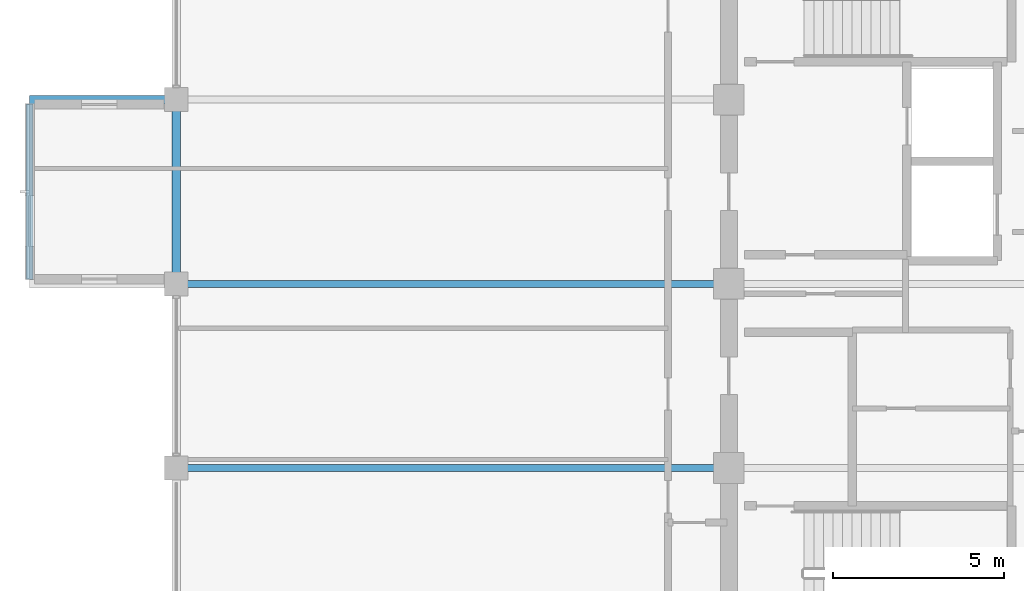
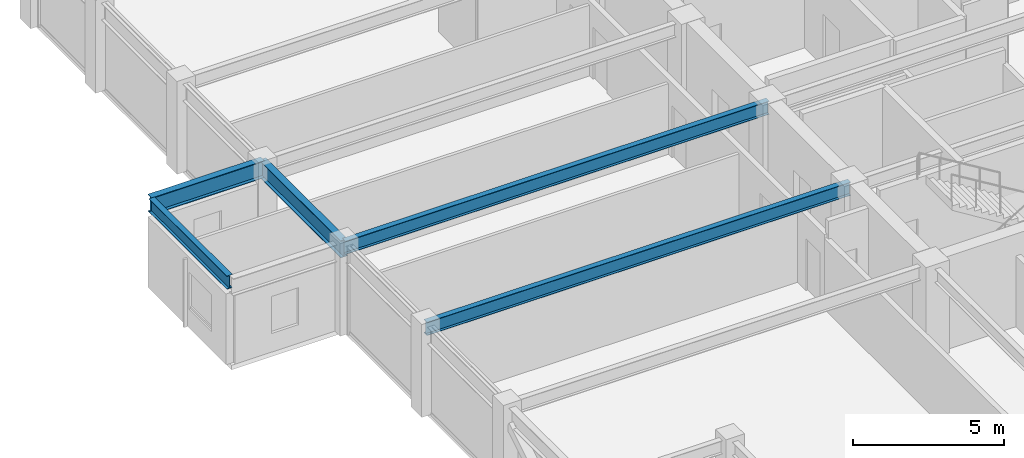
# One storey, part 6 of 31: 5 beams.
"""IFC4 building model written with IfcOpenShell, lengths in metres."""

from ifc_helpers import new_model, si_unit, direction, frame, origin, origin_2d, place, context, subcontext, project, spatial, i_section, extrude, material, material_profile, profile_set, type_object, element, save


model = new_model("IFC4")

# Units and contexts
model_context = context("Model", 3, precision=1e-05, world=origin(), true_north=direction((0.0, 1.0)))
body_context = subcontext(model_context, "Body", "Model", "MODEL_VIEW")
ifc_project = project(units=[si_unit("LENGTHUNIT", "METRE"), si_unit("AREAUNIT", "SQUARE_METRE"), si_unit("VOLUMEUNIT", "CUBIC_METRE"), si_unit("PLANEANGLEUNIT", "RADIAN"), si_unit("MASSUNIT", "GRAM", prefix="KILO")], contexts=[model_context])

# Site, building, storey
site_placement = place(None, origin())
site = spatial("IfcSite", under=ifc_project, at=site_placement, CompositionType="ELEMENT")
building_placement = place(site_placement, origin())
building = spatial("IfcBuilding", under=site, at=building_placement, Name="Surkhivell Harbour Commons", CompositionType="ELEMENT")
storey_placement = place(building_placement, frame((0.0, 0.0, 318.75)))
storey = spatial("IfcBuildingStorey", under=building, at=storey_placement, Name="L83", CompositionType="ELEMENT", Elevation=318.75)

# Beams
ifc_material_1 = material(Name="Steel S460", Category="steel")
ifc_material_profile_1 = material_profile(ifc_material_1, i_section(OverallWidth=0.256103515625, OverallDepth=0.693115234375, WebThickness=0.014404296875, FlangeThickness=0.023681640625, at=origin_2d()), Name="UB686x254x170")
ifc_profile_set_1 = profile_set([ifc_material_profile_1], Name="Steel S460")
beam_type_1 = type_object("IfcBeamType", Name="BM-CNT-686", PredefinedType="BEAM", material=ifc_profile_set_1)
beam_1_placement = place(storey_placement, frame((-27.0, 5.39990234375, 3.223388671875), z_axis=(-1.0, 0.0, 0.0), x_axis=(0.0, -1.0, 0.0)))
element("IfcBeam", 1, at=beam_1_placement, inside=storey, type_object=beam_type_1, Name="L83 Box Cantilever Outrigger (-27.0,5.4)", PredefinedType="BEAM", context=body_context, shape_type="SweptSolid", body=[
    extrude(i_section(OverallWidth=0.256103515625, OverallDepth=0.693115234375, WebThickness=0.014404296875, FlangeThickness=0.023681640625, at=origin_2d()), origin(), (0.0, 0.0, 1.0), 4.300048828125),
])
ifc_material_2 = material(Name="Steel S355", Category="steel")
ifc_material_profile_2 = material_profile(ifc_material_2, i_section(OverallWidth=0.2099609375, OverallDepth=0.537109375, WebThickness=0.0107421875, FlangeThickness=0.017333984375, at=origin_2d()), Name="UB533x210x101")
ifc_profile_set_2 = profile_set([ifc_material_profile_2], Name="Steel S355")
beam_type_2 = type_object("IfcBeamType", Name="BM-GRD-533B", PredefinedType="BEAM", material=ifc_profile_set_2)
for number, where, z_axis, x_axis, name in (
    (2, (-27.0, 0.0, 3.301513671875), (1.0, 0.0, 0.0), (0.0, 1.0, 0.0), "L83 Cantilever Back-Span Girder (-27.0,0.0)"),
    (3, (-27.0, -5.39990234375, 3.301513671875), (1.0, 0.0, 0.0), (0.0, 1.0, 0.0), "L83 Floor Girder (-27.0,-5.4)"),
):
    element("IfcBeam", number, at=place(storey_placement, frame(where, z_axis=z_axis, x_axis=x_axis)), inside=storey, type_object=beam_type_2, Name=name, PredefinedType="BEAM", context=body_context, shape_type="SweptSolid", body=[
        extrude(i_section(OverallWidth=0.2099609375, OverallDepth=0.537109375, WebThickness=0.0107421875, FlangeThickness=0.017333984375, at=origin_2d()), origin(), (0.0, 0.0, 1.0), 16.199951171875),
    ])
beam_2_placement = place(storey_placement, frame((-31.300048828125, 0.1220703125, 3.301513671875), z_axis=(0.0, 1.0, 0.0), x_axis=(-1.0, 0.0, 0.0)))
element("IfcBeam", 4, at=beam_2_placement, inside=storey, type_object=beam_type_2, Name="L83 Box Rim Spandrel (-31.3,0.0)", PredefinedType="BEAM", context=body_context, shape_type="SweptSolid", body=[
    extrude(i_section(OverallWidth=0.2099609375, OverallDepth=0.537109375, WebThickness=0.0107421875, FlangeThickness=0.017333984375, at=origin_2d()), origin(), (0.0, 0.0, 1.0), 5.156005859375),
])
ifc_material_profile_3 = material_profile(ifc_material_2, i_section(OverallWidth=0.256103515625, OverallDepth=0.693115234375, WebThickness=0.014404296875, FlangeThickness=0.023681640625, at=origin_2d()), Name="UB686x254x170")
ifc_profile_set_3 = profile_set([ifc_material_profile_3], Name="Steel S355")
beam_type_3 = type_object("IfcBeamType", Name="BM-SPN-686", PredefinedType="SPANDREL", material=ifc_profile_set_3)
beam_3_placement = place(storey_placement, frame((-27.0, 0.0, 3.223388671875), z_axis=(0.0, 1.0, 0.0), x_axis=(-1.0, 0.0, 0.0)))
element("IfcBeam", 5, at=beam_3_placement, inside=storey, type_object=beam_type_3, Name="L83 Tube Spandrel (-27.0,0.0)", PredefinedType="SPANDREL", context=body_context, shape_type="SweptSolid", body=[
    extrude(i_section(OverallWidth=0.256103515625, OverallDepth=0.693115234375, WebThickness=0.014404296875, FlangeThickness=0.023681640625, at=origin_2d()), origin(), (0.0, 0.0, 1.0), 5.39990234375),
])

save(model, "model.ifc")
